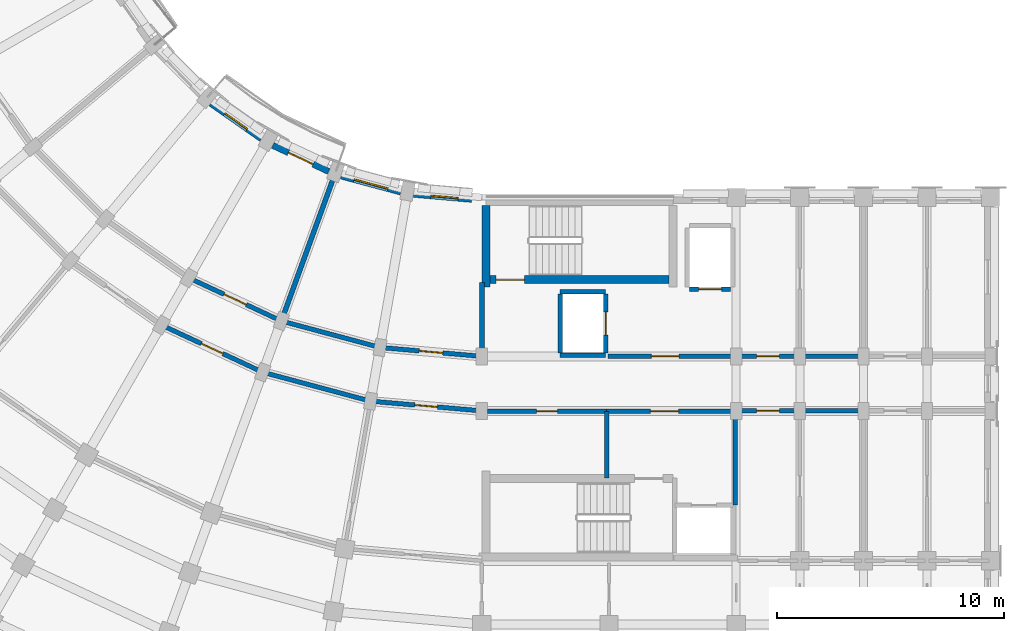
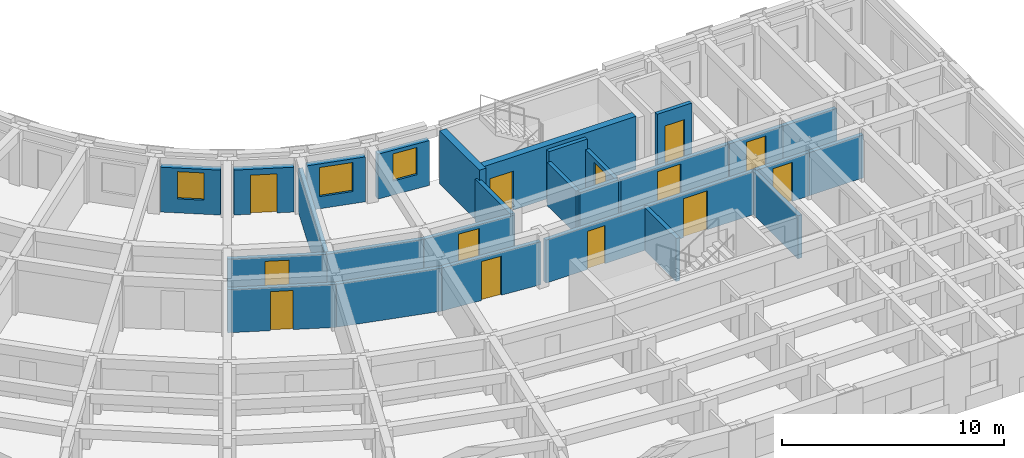
# One storey, part 37 of 76: 28 walls, 13 doors, 3 windows, 16 openings.
"""IFC4 building model written with IfcOpenShell, lengths in metres."""

from ifc_helpers import new_model, si_unit, direction, frame, frame_2d, origin, place, context, subcontext, project, spatial, rectangle, extrude, material, layer, layer_set, type_object, element, fill, save


model = new_model("IFC4")

# Units and contexts
model_context = context("Model", 3, precision=1e-05, world=origin(), true_north=direction((0.0, 1.0)))
body_context = subcontext(model_context, "Body", "Model", "MODEL_VIEW")
ifc_project = project(units=[si_unit("LENGTHUNIT", "METRE"), si_unit("AREAUNIT", "SQUARE_METRE"), si_unit("VOLUMEUNIT", "CUBIC_METRE"), si_unit("PLANEANGLEUNIT", "RADIAN"), si_unit("MASSUNIT", "GRAM", prefix="KILO")], contexts=[model_context])

# Site, building, storey
site_placement = place(None, origin())
site = spatial("IfcSite", under=ifc_project, at=site_placement, CompositionType="ELEMENT")
building_placement = place(site_placement, origin())
building = spatial("IfcBuilding", under=site, at=building_placement, Name="Kiranvali Square Residences", CompositionType="ELEMENT")
storey_placement = place(building_placement, frame((0.0, 0.0, 8.699951171875)))
storey = spatial("IfcBuildingStorey", under=building, at=storey_placement, Name="L02", CompositionType="ELEMENT", Elevation=8.699951171875)

# Wall, opening, door
ifc_material_1 = material(Name="Autoclaved aerated concrete blockwork masonry", Category="masonry")
ifc_layer_1 = layer(ifc_material_1, 0.199951171875)
ifc_layer_set_1 = layer_set([ifc_layer_1], Name="Autoclaved aerated concrete blockwork masonry")
wall_type_1 = type_object("IfcWallType", Name="WL-COR-200", PredefinedType="STANDARD", material=ifc_layer_set_1)
wall_1_placement = place(storey_placement, frame((53.75, 22.39990234375, 0.0), z_axis=(0.0, 0.0, 1.0), x_axis=(1.0, 0.0, 0.0)))
wall_1 = element("IfcWall", 1, at=wall_1_placement, inside=storey, type_object=wall_type_1, Name="L02 architectural wall WL-L02-C-LL-COR", PredefinedType="STANDARD", context=body_context, shape_type="SweptSolid", body=[
    extrude(rectangle(XDim=5.60009765625, YDim=0.199951171875, at=frame_2d((2.800048828125, 0.0))), origin(), (0.0, 0.0, 1.0), 2.3720703125),
])
opening_1_placement = place(wall_1_placement, frame((1.909912109375, 0.0, 0.0)))
opening_1 = element("IfcOpeningElement", 2, at=opening_1_placement, cuts=wall_1, Name="Opening FD-COR-60", PredefinedType="OPENING", context=body_context, shape_type="SweptSolid", body=[
    extrude(rectangle(XDim=1.219970703125, YDim=2.14990234375, at=frame_2d((0.60986328125, 1.074951171875))), frame((0.0, 0.10986328125, 0.0), z_axis=(0.0, -1.0, 0.0), x_axis=(1.0, 0.0, 0.0)), (0.0, 0.0, 1.0), 0.219970703125),
])
ifc_material_2 = material(Name="Fire-rated acoustic hardwood and mineral-core door assembly", Category="wood")
door_type_1 = type_object("IfcDoorType", Name="DR-FD60-1200", OperationType="NOTDEFINED", PredefinedType="DOOR", material=ifc_material_2)
door_1_placement = place(opening_1_placement, origin())
door_1 = element("IfcDoor", 3, at=door_1_placement, inside=storey, type_object=door_type_1, Name="L02 door DR-L02-1853 (DR-FD60-1200)", OperationType="SINGLE_SWING_LEFT", OverallHeight=2.14990234375, OverallWidth=1.219970703125, PredefinedType="DOOR", context=body_context, shape_type="SweptSolid", body=[
    extrude(rectangle(XDim=1.219970703125, YDim=2.14990234375, at=frame_2d((0.60986328125, 1.074951171875))), frame((0.0, 0.02490234375, 0.0), z_axis=(0.0, -1.0, 0.0), x_axis=(1.0, 0.0, 0.0)), (0.0, 0.0, 1.0), 0.050048828125),
])
fill(opening_1, door_1)

wall_2_placement = place(storey_placement, frame((59.39990234375, 22.39990234375, 0.0), z_axis=(0.0, 0.0, 1.0), x_axis=(1.0, 0.0, 0.0)))
wall_2 = element("IfcWall", 4, at=wall_2_placement, inside=storey, type_object=wall_type_1, Name="L02 architectural wall WL-L02-C-A1CI-0", PredefinedType="STANDARD", context=body_context, shape_type="SweptSolid", body=[
    extrude(rectangle(XDim=2.800048828125, YDim=0.199951171875, at=frame_2d((1.39990234375, 0.0))), origin(), (0.0, 0.0, 1.0), 2.3720703125),
])
opening_2_placement = place(wall_2_placement, frame((0.89990234375, 0.0, 0.0)))
opening_2 = element("IfcOpeningElement", 5, at=opening_2_placement, cuts=wall_2, Name="Opening FD-APT-60", PredefinedType="OPENING", context=body_context, shape_type="SweptSolid", body=[
    extrude(rectangle(XDim=1.0, YDim=2.14990234375, at=frame_2d((0.5, 1.074951171875))), frame((0.0, 0.10986328125, 0.0), z_axis=(0.0, -1.0, 0.0), x_axis=(1.0, 0.0, 0.0)), (0.0, 0.0, 1.0), 0.219970703125),
])
door_type_2 = type_object("IfcDoorType", Name="DR-APT-1000", OperationType="NOTDEFINED", PredefinedType="DOOR", material=ifc_material_2)
door_2_placement = place(opening_2_placement, origin())
door_2 = element("IfcDoor", 6, at=door_2_placement, inside=storey, type_object=door_type_2, Name="L02 door DR-L02-1857 (DR-APT-1000)", OperationType="SINGLE_SWING_LEFT", OverallHeight=2.14990234375, OverallWidth=1.0, PredefinedType="DOOR", context=body_context, shape_type="SweptSolid", body=[
    extrude(rectangle(XDim=1.0, YDim=2.14990234375, at=frame_2d((0.5, 1.074951171875))), frame((0.0, 0.02490234375, 0.0), z_axis=(0.0, -1.0, 0.0), x_axis=(1.0, 0.0, 0.0)), (0.0, 0.0, 1.0), 0.050048828125),
])
fill(opening_2, door_2)

wall_3_placement = place(storey_placement, frame((59.39990234375, 20.0, 0.0), z_axis=(0.0, 0.0, 1.0), x_axis=(1.0, 0.0, 0.0)))
wall_3 = element("IfcWall", 7, at=wall_3_placement, inside=storey, type_object=wall_type_1, Name="L02 architectural wall WL-L02-C-A1CO-0", PredefinedType="STANDARD", context=body_context, shape_type="SweptSolid", body=[
    extrude(rectangle(XDim=2.800048828125, YDim=0.199951171875, at=frame_2d((1.39990234375, 0.0))), origin(), (0.0, 0.0, 1.0), 2.3720703125),
])
opening_3_placement = place(wall_3_placement, frame((0.89990234375, 0.0, 0.0)))
opening_3 = element("IfcOpeningElement", 8, at=opening_3_placement, cuts=wall_3, Name="Opening FD-APT-60", PredefinedType="OPENING", context=body_context, shape_type="SweptSolid", body=[
    extrude(rectangle(XDim=1.0, YDim=2.14990234375, at=frame_2d((0.5, 1.074951171875))), frame((0.0, 0.10986328125, 0.0), z_axis=(0.0, -1.0, 0.0), x_axis=(1.0, 0.0, 0.0)), (0.0, 0.0, 1.0), 0.219970703125),
])
door_3_placement = place(opening_3_placement, origin())
door_3 = element("IfcDoor", 9, at=door_3_placement, inside=storey, type_object=door_type_2, Name="L02 door DR-L02-1859 (DR-APT-1000)", OperationType="SINGLE_SWING_LEFT", OverallHeight=2.14990234375, OverallWidth=1.0, PredefinedType="DOOR", context=body_context, shape_type="SweptSolid", body=[
    extrude(rectangle(XDim=1.0, YDim=2.14990234375, at=frame_2d((0.5, 1.074951171875))), frame((0.0, 0.02490234375, 0.0), z_axis=(0.0, -1.0, 0.0), x_axis=(1.0, 0.0, 0.0)), (0.0, 0.0, 1.0), 0.050048828125),
])
fill(opening_3, door_3)

# Walls
for number, where, z_axis, x_axis, name in (
    (10, (62.199951171875, 22.39990234375, 0.0), (0.0, 0.0, 1.0), (1.0, 0.0, 0.0), "L02 architectural wall WL-L02-C-A1CI-1"),
    (11, (62.199951171875, 20.0, 0.0), (0.0, 0.0, 1.0), (1.0, 0.0, 0.0), "L02 architectural wall WL-L02-C-A1CO-1"),
):
    element("IfcWall", number, at=place(storey_placement, frame(where, z_axis=z_axis, x_axis=x_axis)), inside=storey, type_object=wall_type_1, Name=name, PredefinedType="STANDARD", context=body_context, shape_type="SweptSolid", body=[
        extrude(rectangle(XDim=2.800048828125, YDim=0.199951171875, at=frame_2d((1.39990234375, 0.0))), origin(), (0.0, 0.0, 1.0), 2.3720703125),
    ])

# Wall, opening, door
wall_4_placement = place(storey_placement, frame((48.199951171875, 22.39990234375, 0.0), z_axis=(0.0, 0.0, 1.0), x_axis=(-0.996191949488, 0.087187153726, 0.0)))
wall_4 = element("IfcWall", 12, at=wall_4_placement, inside=storey, type_object=wall_type_1, Name="L02 architectural wall WL-L02-C-CCI-0", PredefinedType="STANDARD", context=body_context, shape_type="SweptSolid", body=[
    extrude(rectangle(XDim=4.4970703125, YDim=0.199951171875, at=frame_2d((2.24853515625, 0.0))), origin(), (0.0, 0.0, 1.0), 2.3720703125),
])
opening_4_placement = place(wall_4_placement, frame((1.728515625, 0.0, 0.0)))
opening_4 = element("IfcOpeningElement", 13, at=opening_4_placement, cuts=wall_4, Name="Opening FD-APT-60B", PredefinedType="OPENING", context=body_context, shape_type="SweptSolid", body=[
    extrude(rectangle(XDim=1.0400390625, YDim=2.14990234375, at=frame_2d((0.52001953125, 1.074951171875))), frame((0.0, 0.10986328125, 0.0), z_axis=(0.0, -1.0, 0.0), x_axis=(1.0, 0.0, 0.0)), (0.0, 0.0, 1.0), 0.219970703125),
])
door_type_3 = type_object("IfcDoorType", Name="DR-APT-1040", OperationType="NOTDEFINED", PredefinedType="DOOR", material=ifc_material_2)
door_4_placement = place(opening_4_placement, origin())
door_4 = element("IfcDoor", 14, at=door_4_placement, inside=storey, type_object=door_type_3, Name="L02 door DR-L02-1891 (DR-APT-1040)", OperationType="SINGLE_SWING_LEFT", OverallHeight=2.14990234375, OverallWidth=1.0400390625, PredefinedType="DOOR", context=body_context, shape_type="SweptSolid", body=[
    extrude(rectangle(XDim=1.0400390625, YDim=2.14990234375, at=frame_2d((0.52001953125, 1.074951171875))), frame((0.0, 0.02490234375, 0.0), z_axis=(0.0, -1.0, 0.0), x_axis=(1.0, 0.0, 0.0)), (0.0, 0.0, 1.0), 0.050048828125),
])
fill(opening_4, door_4)

wall_5_placement = place(storey_placement, frame((48.199951171875, 20.0, 0.0), z_axis=(0.0, 0.0, 1.0), x_axis=(-0.996193663584, 0.087167566415, 0.0)))
wall_5 = element("IfcWall", 15, at=wall_5_placement, inside=storey, type_object=wall_type_1, Name="L02 architectural wall WL-L02-C-CCO-0", PredefinedType="STANDARD", context=body_context, shape_type="SweptSolid", body=[
    extrude(rectangle(XDim=4.91552734375, YDim=0.199951171875, at=frame_2d((2.457763671875, 0.0))), origin(), (0.0, 0.0, 1.0), 2.3720703125),
])
opening_5_placement = place(wall_5_placement, frame((1.957763671875, 0.0, 0.0)))
opening_5 = element("IfcOpeningElement", 16, at=opening_5_placement, cuts=wall_5, Name="Opening FD-APT-60", PredefinedType="OPENING", context=body_context, shape_type="SweptSolid", body=[
    extrude(rectangle(XDim=1.0, YDim=2.14990234375, at=frame_2d((0.5, 1.074951171875))), frame((0.0, 0.10986328125, 0.0), z_axis=(0.0, -1.0, 0.0), x_axis=(1.0, 0.0, 0.0)), (0.0, 0.0, 1.0), 0.219970703125),
])
door_5_placement = place(opening_5_placement, frame((1.0, 0.0, 0.0), z_axis=(0.0, 0.0, 1.0), x_axis=(-1.0, 0.0, 0.0)))
door_5 = element("IfcDoor", 17, at=door_5_placement, inside=storey, type_object=door_type_2, Name="L02 door DR-L02-1878 (DR-APT-1000)", OperationType="SINGLE_SWING_RIGHT", OverallHeight=2.14990234375, OverallWidth=1.0, PredefinedType="DOOR", context=body_context, shape_type="SweptSolid", body=[
    extrude(rectangle(XDim=1.0, YDim=2.14990234375, at=frame_2d((0.5, 1.074951171875))), frame((0.0, 0.02490234375, 0.0), z_axis=(0.0, -1.0, 0.0), x_axis=(1.0, 0.0, 0.0)), (0.0, 0.0, 1.0), 0.050048828125),
])
fill(opening_5, door_5)

# Walls
wall_6_placement = place(storey_placement, frame((43.719970703125, 22.7919921875, 0.0), z_axis=(0.0, 0.0, 1.0), x_axis=(-0.965934240054, 0.258787642463, 0.0)))
element("IfcWall", 18, at=wall_6_placement, inside=storey, type_object=wall_type_1, Name="L02 architectural wall WL-L02-C-CCI-1", PredefinedType="STANDARD", context=body_context, shape_type="SweptSolid", body=[
    extrude(rectangle(XDim=4.497314453125, YDim=0.199951171875, at=frame_2d((2.24853515625, 0.0))), origin(), (0.0, 0.0, 1.0), 2.3720703125),
])
wall_7_placement = place(storey_placement, frame((43.30322265625, 20.428466796875, 0.0), z_axis=(0.0, 0.0, 1.0), x_axis=(-0.965930095386, 0.258803112091, 0.0)))
element("IfcWall", 19, at=wall_7_placement, inside=storey, type_object=wall_type_1, Name="L02 architectural wall WL-L02-C-CCO-1", PredefinedType="STANDARD", context=body_context, shape_type="SweptSolid", body=[
    extrude(rectangle(XDim=4.915771484375, YDim=0.199951171875, at=frame_2d((2.4580078125, 0.0))), origin(), (0.0, 0.0, 1.0), 2.3720703125),
])

# Wall, opening, door
wall_8_placement = place(storey_placement, frame((39.3759765625, 23.955810546875, 0.0), z_axis=(0.0, 0.0, 1.0), x_axis=(-0.906307919131, 0.422617978463, 0.0)))
wall_8 = element("IfcWall", 20, at=wall_8_placement, inside=storey, type_object=wall_type_1, Name="L02 architectural wall WL-L02-C-CCI-2", PredefinedType="STANDARD", context=body_context, shape_type="SweptSolid", body=[
    extrude(rectangle(XDim=4.497314453125, YDim=0.199951171875, at=frame_2d((2.24853515625, 0.0))), origin(), (0.0, 0.0, 1.0), 2.3720703125),
])
opening_6_placement = place(wall_8_placement, frame((1.708740234375, 0.0, 0.0)))
opening_6 = element("IfcOpeningElement", 21, at=opening_6_placement, cuts=wall_8, Name="Opening FD-APT-60C", PredefinedType="OPENING", context=body_context, shape_type="SweptSolid", body=[
    extrude(rectangle(XDim=1.080078125, YDim=2.14990234375, at=frame_2d((0.5400390625, 1.074951171875))), frame((0.0, 0.10986328125, 0.0), z_axis=(0.0, -1.0, 0.0), x_axis=(1.0, 0.0, 0.0)), (0.0, 0.0, 1.0), 0.219970703125),
])
door_type_4 = type_object("IfcDoorType", Name="DR-APT-1080", OperationType="NOTDEFINED", PredefinedType="DOOR", material=ifc_material_2)
door_6_placement = place(opening_6_placement, frame((1.080078125, 0.0, 0.0), z_axis=(0.0, 0.0, 1.0), x_axis=(-1.0, 0.0, 0.0)))
door_6 = element("IfcDoor", 22, at=door_6_placement, inside=storey, type_object=door_type_4, Name="L02 door DR-L02-1892 (DR-APT-1080)", OperationType="SINGLE_SWING_RIGHT", OverallHeight=2.14990234375, OverallWidth=1.080078125, PredefinedType="DOOR", context=body_context, shape_type="SweptSolid", body=[
    extrude(rectangle(XDim=1.080078125, YDim=2.14990234375, at=frame_2d((0.5400390625, 1.074951171875))), frame((0.0, 0.02490234375, 0.0), z_axis=(0.0, -1.0, 0.0), x_axis=(1.0, 0.0, 0.0)), (0.0, 0.0, 1.0), 0.050048828125),
])
fill(opening_6, door_6)

wall_9_placement = place(storey_placement, frame((38.554931640625, 21.70068359375, 0.0), z_axis=(0.0, 0.0, 1.0), x_axis=(-0.906302381024, 0.422629854778, 0.0)))
wall_9 = element("IfcWall", 23, at=wall_9_placement, inside=storey, type_object=wall_type_1, Name="L02 architectural wall WL-L02-C-CCO-2", PredefinedType="STANDARD", context=body_context, shape_type="SweptSolid", body=[
    extrude(rectangle(XDim=4.915283203125, YDim=0.199951171875, at=frame_2d((2.45751953125, 0.0))), origin(), (0.0, 0.0, 1.0), 2.3720703125),
])
opening_7_placement = place(wall_9_placement, frame((1.937744140625, 0.0, 0.0)))
opening_7 = element("IfcOpeningElement", 24, at=opening_7_placement, cuts=wall_9, Name="Opening FD-APT-60B", PredefinedType="OPENING", context=body_context, shape_type="SweptSolid", body=[
    extrude(rectangle(XDim=1.0400390625, YDim=2.14990234375, at=frame_2d((0.52001953125, 1.074951171875))), frame((0.0, 0.10986328125, 0.0), z_axis=(0.0, -1.0, 0.0), x_axis=(1.0, 0.0, 0.0)), (0.0, 0.0, 1.0), 0.219970703125),
])
door_7_placement = place(opening_7_placement, origin())
door_7 = element("IfcDoor", 25, at=door_7_placement, inside=storey, type_object=door_type_3, Name="L02 door DR-L02-1881 (DR-APT-1040)", OperationType="SINGLE_SWING_LEFT", OverallHeight=2.14990234375, OverallWidth=1.0400390625, PredefinedType="DOOR", context=body_context, shape_type="SweptSolid", body=[
    extrude(rectangle(XDim=1.0400390625, YDim=2.14990234375, at=frame_2d((0.52001953125, 1.074951171875))), frame((0.0, 0.02490234375, 0.0), z_axis=(0.0, -1.0, 0.0), x_axis=(1.0, 0.0, 0.0)), (0.0, 0.0, 1.0), 0.050048828125),
])
fill(opening_7, door_7)

# Walls
ifc_layer_2 = layer(ifc_material_1, 0.219970703125)
ifc_layer_set_2 = layer_set([ifc_layer_2], Name="Autoclaved aerated concrete blockwork masonry")
wall_type_2 = type_object("IfcWallType", Name="WL-DEM-220", PredefinedType="STANDARD", material=ifc_layer_set_2)
wall_10_placement = place(storey_placement, frame((48.199951171875, 25.64990234375, 0.0), z_axis=(0.0, 0.0, 1.0), x_axis=(0.0, -1.0, 0.0)))
element("IfcWall", 26, at=wall_10_placement, inside=storey, type_object=wall_type_2, Name="L02 architectural wall WL-L02-C-RADI-0", PredefinedType="STANDARD", context=body_context, shape_type="SweptSolid", body=[
    extrude(rectangle(XDim=3.199951171875, YDim=0.219970703125, at=frame_2d((1.60009765625, 0.0))), origin(), (0.0, 0.0, 1.0), 2.3720703125),
])
wall_11_placement = place(storey_placement, frame((41.70166015625, 30.345947265625, 0.0), z_axis=(0.0, 0.0, 1.0), x_axis=(-0.342010221662, -0.939696231917, 0.0)))
element("IfcWall", 27, at=wall_11_placement, inside=storey, type_object=wall_type_2, Name="L02 architectural wall WL-L02-C-RADI-2", PredefinedType="STANDARD", context=body_context, shape_type="SweptSolid", body=[
    extrude(rectangle(XDim=6.75, YDim=0.219970703125, at=frame_2d((3.375, 0.0))), origin(), (0.0, 0.0, 1.0), 2.3720703125),
])

# Wall, opening, window
ifc_material_3 = material(Name="Breathable lime-rendered clay brick masonry", Category="masonry")
ifc_layer_3 = layer(ifc_material_3, 0.27490234375)
ifc_layer_set_3 = layer_set([ifc_layer_3], Name="Breathable lime-rendered clay brick masonry")
wall_type_3 = type_object("IfcWallType", Name="WL-EXT-275", PredefinedType="STANDARD", material=ifc_layer_set_3)
wall_12_placement = place(storey_placement, frame((47.750732421875, 29.313720703125, 0.0), z_axis=(0.0, 0.0, 1.0), x_axis=(-0.996194235595, 0.08716102895, 0.0)))
wall_12 = element("IfcWall", 28, at=wall_12_placement, inside=storey, type_object=wall_type_3, Name="L02 exterior wall C-L02-GDN-00", PredefinedType="STANDARD", context=body_context, shape_type="SweptSolid", body=[
    extrude(rectangle(XDim=2.557373046875, YDim=0.27490234375, at=frame_2d((1.27880859375, 0.0))), origin(), (0.0, 0.0, 1.0), 2.47216796875),
])
opening_8_placement = place(wall_12_placement, frame((0.5986328125, 0.0, 0.77197265625)))
opening_8 = element("IfcOpeningElement", 29, at=opening_8_placement, cuts=wall_12, Name="Opening W-06", PredefinedType="OPENING", context=body_context, shape_type="SweptSolid", body=[
    extrude(rectangle(XDim=1.199951171875, YDim=1.5, at=frame_2d((0.60009765625, 0.75))), frame((0.0, 0.1474609375, 0.0), z_axis=(0.0, -1.0, 0.0), x_axis=(1.0, 0.0, 0.0)), (0.0, 0.0, 1.0), 0.294921875),
])
ifc_material_4 = material(Name="Solar-control low-e double glazing", Category="glass")
window_type_1 = type_object("IfcWindowType", Name="WIN-RES-1200x1500", PartitioningType="SINGLE_PANEL", PredefinedType="WINDOW", material=ifc_material_4)
window_1_placement = place(opening_8_placement, origin())
window_1 = element("IfcWindow", 30, at=window_1_placement, inside=storey, type_object=window_type_1, Name="L02 recessed window C-L02-GDN-00", OverallHeight=1.5, OverallWidth=1.199951171875, PartitioningType="SINGLE_PANEL", PredefinedType="WINDOW", context=body_context, shape_type="SweptSolid", body=[
    extrude(rectangle(XDim=1.199951171875, YDim=1.5, at=frame_2d((0.60009765625, 0.75))), frame((0.0, 0.030029296875, 0.0), z_axis=(0.0, -1.0, 0.0), x_axis=(1.0, 0.0, 0.0)), (0.0, 0.0, 1.0), 0.06005859375),
])
fill(opening_8, window_1)

wall_13_placement = place(storey_placement, frame((44.6328125, 29.63720703125, 0.0), z_axis=(0.0, 0.0, 1.0), x_axis=(-0.965925595341, 0.258819907011, 0.0)))
wall_13 = element("IfcWall", 31, at=wall_13_placement, inside=storey, type_object=wall_type_3, Name="L02 exterior wall C-L02-GDN-01", PredefinedType="STANDARD", context=body_context, shape_type="SweptSolid", body=[
    extrude(rectangle(XDim=2.717529296875, YDim=0.27490234375, at=frame_2d((1.35888671875, 0.0))), origin(), (0.0, 0.0, 1.0), 2.47216796875),
])
opening_9_placement = place(wall_13_placement, frame((0.583740234375, 0.0, 0.672119140625)))
opening_9 = element("IfcOpeningElement", 32, at=opening_9_placement, cuts=wall_13, Name="Opening W-18", PredefinedType="OPENING", context=body_context, shape_type="SweptSolid", body=[
    extrude(rectangle(XDim=1.550048828125, YDim=1.60009765625, at=frame_2d((0.77490234375, 0.800048828125))), frame((0.0, 0.1474609375, 0.0), z_axis=(0.0, -1.0, 0.0), x_axis=(1.0, 0.0, 0.0)), (0.0, 0.0, 1.0), 0.294921875),
])
window_type_2 = type_object("IfcWindowType", Name="WIN-GDN-1550x1600", PartitioningType="DOUBLE_PANEL_VERTICAL", PredefinedType="WINDOW", material=ifc_material_4)
window_2_placement = place(opening_9_placement, origin())
window_2 = element("IfcWindow", 33, at=window_2_placement, inside=storey, type_object=window_type_2, Name="L02 recessed window C-L02-GDN-01", OverallHeight=1.60009765625, OverallWidth=1.550048828125, PartitioningType="DOUBLE_PANEL_VERTICAL", PredefinedType="WINDOW", context=body_context, shape_type="SweptSolid", body=[
    extrude(rectangle(XDim=1.550048828125, YDim=1.60009765625, at=frame_2d((0.77490234375, 0.800048828125))), frame((0.0, 0.030029296875, 0.0), z_axis=(0.0, -1.0, 0.0), x_axis=(1.0, 0.0, 0.0)), (0.0, 0.0, 1.0), 0.06005859375),
])
fill(opening_9, window_2)

# Wall, opening, door
wall_14_placement = place(storey_placement, frame((41.463623046875, 30.538818359375, 0.0), z_axis=(0.0, 0.0, 1.0), x_axis=(-0.906311629168, 0.422610022166, 0.0)))
wall_14 = element("IfcWall", 34, at=wall_14_placement, inside=storey, type_object=wall_type_3, Name="L02 exterior wall C-L02-GDN-02", PredefinedType="STANDARD", context=body_context, shape_type="SweptSolid", body=[
    extrude(rectangle(XDim=2.717529296875, YDim=0.27490234375, at=frame_2d((1.35888671875, 0.0))), origin(), (0.0, 0.0, 1.0), 2.47216796875),
])
opening_10_placement = place(wall_14_placement, frame((0.7587890625, 0.0, 0.0)))
opening_10 = element("IfcOpeningElement", 35, at=opening_10_placement, cuts=wall_14, Name="Opening ED-BAL-1", PredefinedType="OPENING", context=body_context, shape_type="SweptSolid", body=[
    extrude(rectangle(XDim=1.199951171875, YDim=2.14990234375, at=frame_2d((0.60009765625, 1.074951171875))), frame((0.0, 0.1474609375, 0.0), z_axis=(0.0, -1.0, 0.0), x_axis=(1.0, 0.0, 0.0)), (0.0, 0.0, 1.0), 0.294921875),
])
ifc_material_5 = material(Name="Anodised bronze aluminium framing", Category="aluminium")
door_type_5 = type_object("IfcDoorType", Name="DR-BAL-1200", OperationType="NOTDEFINED", PredefinedType="DOOR", material=ifc_material_5)
door_8_placement = place(opening_10_placement, frame((1.199951171875, 0.0, 0.0), z_axis=(0.0, 0.0, 1.0), x_axis=(-1.0, 0.0, 0.0)))
door_8 = element("IfcDoor", 36, at=door_8_placement, inside=storey, type_object=door_type_5, Name="L02 balcony terrace door", OperationType="SINGLE_SWING_LEFT", OverallHeight=2.14990234375, OverallWidth=1.199951171875, PredefinedType="DOOR", context=body_context, shape_type="SweptSolid", body=[
    extrude(rectangle(XDim=1.199951171875, YDim=2.14990234375, at=frame_2d((0.60009765625, 1.074951171875))), frame((0.0, 0.02490234375, 0.0), z_axis=(0.0, -1.0, 0.0), x_axis=(1.0, 0.0, 0.0)), (0.0, 0.0, 1.0), 0.050048828125),
])
fill(opening_10, door_8)

# Wall, opening, window
wall_15_placement = place(storey_placement, frame((38.4990234375, 31.976806640625, 0.0), z_axis=(0.0, 0.0, 1.0), x_axis=(-0.81917282593, 0.573546755948, 0.0)))
wall_15 = element("IfcWall", 37, at=wall_15_placement, inside=storey, type_object=wall_type_3, Name="L02 exterior wall C-L02-GDN-03", PredefinedType="STANDARD", context=body_context, shape_type="SweptSolid", body=[
    extrude(rectangle(XDim=2.717529296875, YDim=0.27490234375, at=frame_2d((1.35888671875, 0.0))), origin(), (0.0, 0.0, 1.0), 2.47216796875),
])
opening_11_placement = place(wall_15_placement, frame((0.7587890625, 0.0, 0.77197265625)))
opening_11 = element("IfcOpeningElement", 38, at=opening_11_placement, cuts=wall_15, Name="Opening W-06", PredefinedType="OPENING", context=body_context, shape_type="SweptSolid", body=[
    extrude(rectangle(XDim=1.199951171875, YDim=1.5, at=frame_2d((0.60009765625, 0.75))), frame((0.0, 0.1474609375, 0.0), z_axis=(0.0, -1.0, 0.0), x_axis=(1.0, 0.0, 0.0)), (0.0, 0.0, 1.0), 0.294921875),
])
window_3_placement = place(opening_11_placement, origin())
window_3 = element("IfcWindow", 39, at=window_3_placement, inside=storey, type_object=window_type_1, Name="L02 recessed window C-L02-GDN-03", OverallHeight=1.5, OverallWidth=1.199951171875, PartitioningType="SINGLE_PANEL", PredefinedType="WINDOW", context=body_context, shape_type="SweptSolid", body=[
    extrude(rectangle(XDim=1.199951171875, YDim=1.5, at=frame_2d((0.60009765625, 0.75))), frame((0.0, 0.030029296875, 0.0), z_axis=(0.0, -1.0, 0.0), x_axis=(1.0, 0.0, 0.0)), (0.0, 0.0, 1.0), 0.06005859375),
])
fill(opening_11, window_3)

# Wall, opening, door
ifc_layer_4 = layer(ifc_material_1, 0.199951171875)
ifc_layer_set_4 = layer_set([ifc_layer_4], Name="Autoclaved aerated concrete blockwork masonry")
wall_type_4 = type_object("IfcWallType", Name="WL-FFL-200", PredefinedType="STANDARD", material=ifc_layer_set_4)
wall_16_placement = place(storey_placement, frame((53.699951171875, 19.97998046875, 0.0), z_axis=(0.0, 0.0, 1.0), x_axis=(1.0, 0.0, 0.0)))
wall_16 = element("IfcWall", 40, at=wall_16_placement, inside=storey, type_object=wall_type_4, Name="L02 architectural wall WL-L02-C-FF-COR", PredefinedType="STANDARD", context=body_context, shape_type="SweptSolid", body=[
    extrude(rectangle(XDim=5.650146484375, YDim=0.199951171875, at=frame_2d((2.8251953125, 0.0))), origin(), (0.0, 0.0, 1.0), 2.3720703125),
])
opening_12_placement = place(wall_16_placement, frame((1.922607421875, 0.0, 0.0)))
opening_12 = element("IfcOpeningElement", 41, at=opening_12_placement, cuts=wall_16, Name="Opening FD-ST-120", PredefinedType="OPENING", context=body_context, shape_type="SweptSolid", body=[
    extrude(rectangle(XDim=1.239990234375, YDim=2.14990234375, at=frame_2d((0.6201171875, 1.074951171875))), frame((0.0, 0.10986328125, 0.0), z_axis=(0.0, -1.0, 0.0), x_axis=(1.0, 0.0, 0.0)), (0.0, 0.0, 1.0), 0.219970703125),
])
door_type_6 = type_object("IfcDoorType", Name="DR-FD120-1200", OperationType="NOTDEFINED", PredefinedType="DOOR", material=ifc_material_2)
door_9_placement = place(opening_12_placement, origin())
door_9 = element("IfcDoor", 42, at=door_9_placement, inside=storey, type_object=door_type_6, Name="L02 door DR-L02-1845 (DR-FD120-1200)", OperationType="SINGLE_SWING_LEFT", OverallHeight=2.14990234375, OverallWidth=1.239990234375, PredefinedType="DOOR", context=body_context, shape_type="SweptSolid", body=[
    extrude(rectangle(XDim=1.239990234375, YDim=2.14990234375, at=frame_2d((0.6201171875, 1.074951171875))), frame((0.0, 0.02490234375, 0.0), z_axis=(0.0, -1.0, 0.0), x_axis=(1.0, 0.0, 0.0)), (0.0, 0.0, 1.0), 0.050048828125),
])
fill(opening_12, door_9)

# Walls
wall_17_placement = place(storey_placement, frame((53.699951171875, 19.97998046875, 0.0), z_axis=(0.0, 0.0, 1.0), x_axis=(0.0, -1.0, 0.0)))
element("IfcWall", 43, at=wall_17_placement, inside=storey, type_object=wall_type_4, Name="L02 architectural wall WL-L02-C-FF-DIV", PredefinedType="STANDARD", context=body_context, shape_type="SweptSolid", body=[
    extrude(rectangle(XDim=2.929931640625, YDim=0.199951171875, at=frame_2d((1.46484375, 0.0))), origin(), (0.0, 0.0, 1.0), 2.3720703125),
])
wall_18_placement = place(storey_placement, frame((59.35009765625, 19.97998046875, 0.0), z_axis=(0.0, 0.0, 1.0), x_axis=(0.0, -1.0, 0.0)))
element("IfcWall", 44, at=wall_18_placement, inside=storey, type_object=wall_type_4, Name="L02 architectural wall WL-L02-C-FF-END", PredefinedType="STANDARD", context=body_context, shape_type="SweptSolid", body=[
    extrude(rectangle(XDim=4.1298828125, YDim=0.199951171875, at=frame_2d((2.06494140625, 0.0))), origin(), (0.0, 0.0, 1.0), 2.3720703125),
])

# Wall, opening, door
ifc_layer_5 = layer(ifc_material_1, 0.199951171875)
ifc_layer_set_5 = layer_set([ifc_layer_5], Name="Autoclaved aerated concrete blockwork masonry")
wall_type_5 = type_object("IfcWallType", Name="WL-SHF-200", PredefinedType="STANDARD", material=ifc_layer_set_5)
wall_19_placement = place(storey_placement, frame((48.449951171875, 19.97998046875, 0.0), z_axis=(0.0, 0.0, 1.0), x_axis=(1.0, 0.0, 0.0)))
wall_19 = element("IfcWall", 45, at=wall_19_placement, inside=storey, type_object=wall_type_5, Name="L02 architectural wall WL-L02-C-RSR-COR", PredefinedType="STANDARD", context=body_context, shape_type="SweptSolid", body=[
    extrude(rectangle(XDim=5.25, YDim=0.199951171875, at=frame_2d((2.625, 0.0))), origin(), (0.0, 0.0, 1.0), 2.3720703125),
])
opening_13_placement = place(wall_19_placement, frame((2.1650390625, 0.0, 0.0)))
opening_13 = element("IfcOpeningElement", 46, at=opening_13_placement, cuts=wall_19, Name="Opening FD-SVC-120", PredefinedType="OPENING", context=body_context, shape_type="SweptSolid", body=[
    extrude(rectangle(XDim=0.919921875, YDim=2.10009765625, at=frame_2d((0.4599609375, 1.050048828125))), frame((0.0, 0.10986328125, 0.0), z_axis=(0.0, -1.0, 0.0), x_axis=(1.0, 0.0, 0.0)), (0.0, 0.0, 1.0), 0.219970703125),
])
door_type_7 = type_object("IfcDoorType", Name="DR-SVC-900", OperationType="NOTDEFINED", PredefinedType="DOOR", material=ifc_material_2)
door_10_placement = place(opening_13_placement, frame((0.919921875, 0.0, 0.0), z_axis=(0.0, 0.0, 1.0), x_axis=(-1.0, 0.0, 0.0)))
door_10 = element("IfcDoor", 47, at=door_10_placement, inside=storey, type_object=door_type_7, Name="L02 door DR-L02-1846 (DR-SVC-900)", OperationType="SINGLE_SWING_RIGHT", OverallHeight=2.10009765625, OverallWidth=0.919921875, PredefinedType="DOOR", context=body_context, shape_type="SweptSolid", body=[
    extrude(rectangle(XDim=0.919921875, YDim=2.10009765625, at=frame_2d((0.4599609375, 1.050048828125))), frame((0.0, 0.02490234375, 0.0), z_axis=(0.0, -1.0, 0.0), x_axis=(1.0, 0.0, 0.0)), (0.0, 0.0, 1.0), 0.050048828125),
])
fill(opening_13, door_10)

wall_20_placement = place(storey_placement, frame((57.35009765625, 25.35009765625, 0.0), z_axis=(0.0, 0.0, 1.0), x_axis=(1.0, 0.0, 0.0)))
wall_20 = element("IfcWall", 48, at=wall_20_placement, inside=storey, type_object=wall_type_5, Name="L02 architectural wall WL-L02-C-LP1-F", PredefinedType="STANDARD", context=body_context, shape_type="SweptSolid", body=[
    extrude(rectangle(XDim=1.7998046875, YDim=0.199951171875, at=frame_2d((0.89990234375, 0.0))), origin(), (0.0, 0.0, 1.0), 2.929931640625),
])
opening_14_placement = place(wall_20_placement, frame((0.389892578125, 0.0, 0.0)))
opening_14 = element("IfcOpeningElement", 49, at=opening_14_placement, cuts=wall_20, Name="Opening LD-PAX-100", PredefinedType="OPENING", context=body_context, shape_type="SweptSolid", body=[
    extrude(rectangle(XDim=1.02001953125, YDim=2.14990234375, at=frame_2d((0.510009765625, 1.074951171875))), frame((0.0, 0.10986328125, 0.0), z_axis=(0.0, -1.0, 0.0), x_axis=(1.0, 0.0, 0.0)), (0.0, 0.0, 1.0), 0.219970703125),
])
door_type_8 = type_object("IfcDoorType", Name="DR-LIFT-1000", OperationType="SLIDING_TO_RIGHT", PredefinedType="DOOR", material=ifc_material_2)
door_11_placement = place(opening_14_placement, origin())
door_11 = element("IfcDoor", 50, at=door_11_placement, inside=storey, type_object=door_type_8, Name="L02 door DR-L02-1851 (DR-LIFT-1000)", OperationType="SLIDING_TO_RIGHT", OverallHeight=2.14990234375, OverallWidth=1.02001953125, PredefinedType="DOOR", context=body_context, shape_type="SweptSolid", body=[
    extrude(rectangle(XDim=1.02001953125, YDim=2.14990234375, at=frame_2d((0.510009765625, 1.074951171875))), frame((0.0, 0.02490234375, 0.0), z_axis=(0.0, -1.0, 0.0), x_axis=(1.0, 0.0, 0.0)), (0.0, 0.0, 1.0), 0.050048828125),
])
fill(opening_14, door_11)

# Walls
wall_21_placement = place(storey_placement, frame((51.64990234375, 25.25, 0.0), z_axis=(0.0, 0.0, 1.0), x_axis=(1.0, 0.0, 0.0)))
element("IfcWall", 51, at=wall_21_placement, inside=storey, type_object=wall_type_5, Name="L02 architectural wall WL-L02-C-LP2-S0", PredefinedType="STANDARD", context=body_context, shape_type="SweptSolid", body=[
    extrude(rectangle(XDim=2.0, YDim=0.199951171875, at=frame_2d((1.0, 0.0))), origin(), (0.0, 0.0, 1.0), 2.929931640625),
])
wall_22_placement = place(storey_placement, frame((51.64990234375, 22.449951171875, 0.0), z_axis=(0.0, 0.0, 1.0), x_axis=(1.0, 0.0, 0.0)))
element("IfcWall", 52, at=wall_22_placement, inside=storey, type_object=wall_type_5, Name="L02 architectural wall WL-L02-C-LP2-B", PredefinedType="STANDARD", context=body_context, shape_type="SweptSolid", body=[
    extrude(rectangle(XDim=2.0, YDim=0.199951171875, at=frame_2d((1.0, 0.0))), origin(), (0.0, 0.0, 1.0), 2.3720703125),
])
wall_23_placement = place(storey_placement, frame((51.64990234375, 25.14990234375, 0.0), z_axis=(0.0, 0.0, 1.0), x_axis=(0.0, -1.0, 0.0)))
element("IfcWall", 53, at=wall_23_placement, inside=storey, type_object=wall_type_5, Name="L02 architectural wall WL-L02-C-LP2-S1", PredefinedType="STANDARD", context=body_context, shape_type="SweptSolid", body=[
    extrude(rectangle(XDim=2.599853515625, YDim=0.199951171875, at=frame_2d((1.2998046875, 0.0))), origin(), (0.0, 0.0, 1.0), 2.3720703125),
])

# Wall, opening, door
wall_24_placement = place(storey_placement, frame((53.64990234375, 25.14990234375, 0.0), z_axis=(0.0, 0.0, 1.0), x_axis=(0.0, -1.0, 0.0)))
wall_24 = element("IfcWall", 54, at=wall_24_placement, inside=storey, type_object=wall_type_5, Name="L02 architectural wall WL-L02-C-LP2-F", PredefinedType="STANDARD", context=body_context, shape_type="SweptSolid", body=[
    extrude(rectangle(XDim=2.599853515625, YDim=0.199951171875, at=frame_2d((1.2998046875, 0.0))), origin(), (0.0, 0.0, 1.0), 2.3720703125),
])
opening_15_placement = place(wall_24_placement, frame((0.7900390625, 0.0, 0.0)))
opening_15 = element("IfcOpeningElement", 55, at=opening_15_placement, cuts=wall_24, Name="Opening LD-PAX-100", PredefinedType="OPENING", context=body_context, shape_type="SweptSolid", body=[
    extrude(rectangle(XDim=1.02001953125, YDim=2.14990234375, at=frame_2d((0.510009765625, 1.074951171875))), frame((0.0, 0.10986328125, 0.0), z_axis=(0.0, -1.0, 0.0), x_axis=(1.0, 0.0, 0.0)), (0.0, 0.0, 1.0), 0.219970703125),
])
door_12_placement = place(opening_15_placement, origin())
door_12 = element("IfcDoor", 56, at=door_12_placement, inside=storey, type_object=door_type_8, Name="L02 door DR-L02-1852 (DR-LIFT-1000)", OperationType="SLIDING_TO_RIGHT", OverallHeight=2.14990234375, OverallWidth=1.02001953125, PredefinedType="DOOR", context=body_context, shape_type="SweptSolid", body=[
    extrude(rectangle(XDim=1.02001953125, YDim=2.14990234375, at=frame_2d((0.510009765625, 1.074951171875))), frame((0.0, 0.02490234375, 0.0), z_axis=(0.0, -1.0, 0.0), x_axis=(1.0, 0.0, 0.0)), (0.0, 0.0, 1.0), 0.050048828125),
])
fill(opening_15, door_12)

ifc_material_6 = material(Name="Concrete M50 (50 MPa)", Category="concrete")
ifc_layer_6 = layer(ifc_material_6, 0.35009765625)
ifc_layer_set_6 = layer_set([ifc_layer_6], Name="Concrete M50 (50 MPa)")
wall_type_6 = type_object("IfcWallType", Name="WL-SHR-350", PredefinedType="SHEAR", material=ifc_layer_set_6)
wall_25_placement = place(storey_placement, frame((48.550048828125, 25.77490234375, 0.0), z_axis=(0.0, 0.0, 1.0), x_axis=(1.0, 0.0, 0.0)))
wall_25 = element("IfcWall", 57, at=wall_25_placement, inside=storey, type_object=wall_type_6, Name="Block C core shear wall SW-C2-IN-L02", PredefinedType="SHEAR", context=body_context, shape_type="SweptSolid", body=[
    extrude(rectangle(XDim=7.89990234375, YDim=0.35009765625, at=frame_2d((3.949951171875, 0.0))), origin(), (0.0, 0.0, 1.0), 2.929931640625),
])
opening_16_placement = place(wall_25_placement, frame((0.280029296875, 0.0, 0.0)))
opening_16 = element("IfcOpeningElement", 58, at=opening_16_placement, cuts=wall_25, Name="Opening FD-ST-120", PredefinedType="OPENING", context=body_context, shape_type="SweptSolid", body=[
    extrude(rectangle(XDim=1.239990234375, YDim=2.14990234375, at=frame_2d((0.6201171875, 1.074951171875))), frame((0.0, 0.18505859375, 0.0), z_axis=(0.0, -1.0, 0.0), x_axis=(1.0, 0.0, 0.0)), (0.0, 0.0, 1.0), 0.3701171875),
])
door_13_placement = place(opening_16_placement, origin())
door_13 = element("IfcDoor", 59, at=door_13_placement, inside=storey, type_object=door_type_6, Name="L02 door DR-L02-1849 (DR-FD120-1200)", OperationType="SINGLE_SWING_LEFT", OverallHeight=2.14990234375, OverallWidth=1.239990234375, PredefinedType="DOOR", context=body_context, shape_type="SweptSolid", body=[
    extrude(rectangle(XDim=1.239990234375, YDim=2.14990234375, at=frame_2d((0.6201171875, 1.074951171875))), frame((0.0, 0.02490234375, 0.0), z_axis=(0.0, -1.0, 0.0), x_axis=(1.0, 0.0, 0.0)), (0.0, 0.0, 1.0), 0.050048828125),
])
fill(opening_16, door_13)

# Wall
wall_26_placement = place(storey_placement, frame((48.375, 29.050048828125, 0.0), z_axis=(0.0, 0.0, 1.0), x_axis=(0.0, -1.0, 0.0)))
element("IfcWall", 60, at=wall_26_placement, inside=storey, type_object=wall_type_6, Name="Block C core shear wall SW-C2-NEAR-L02", PredefinedType="SHEAR", context=body_context, shape_type="SweptSolid", body=[
    extrude(rectangle(XDim=3.60009765625, YDim=0.35009765625, at=frame_2d((1.800048828125, 0.0))), origin(), (0.0, 0.0, 1.0), 2.929931640625),
])

save(model, "model.ifc")
